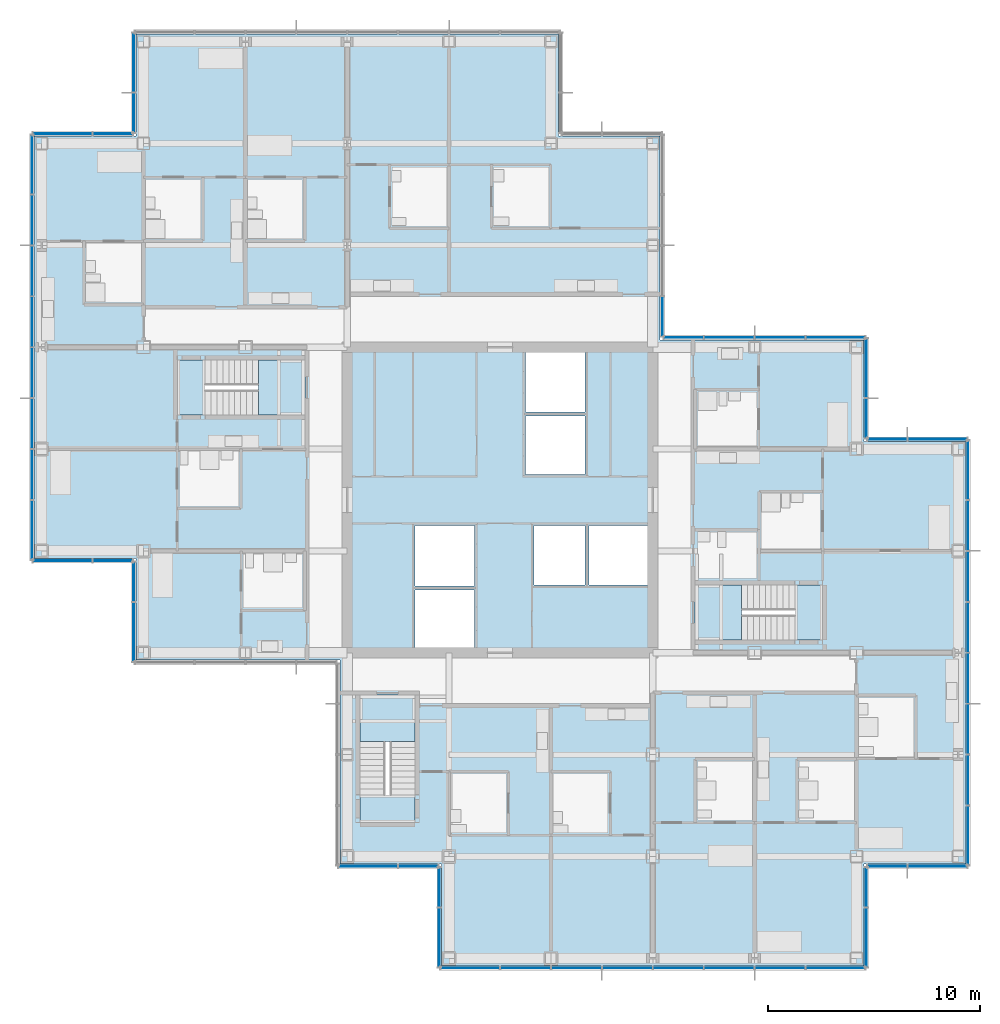
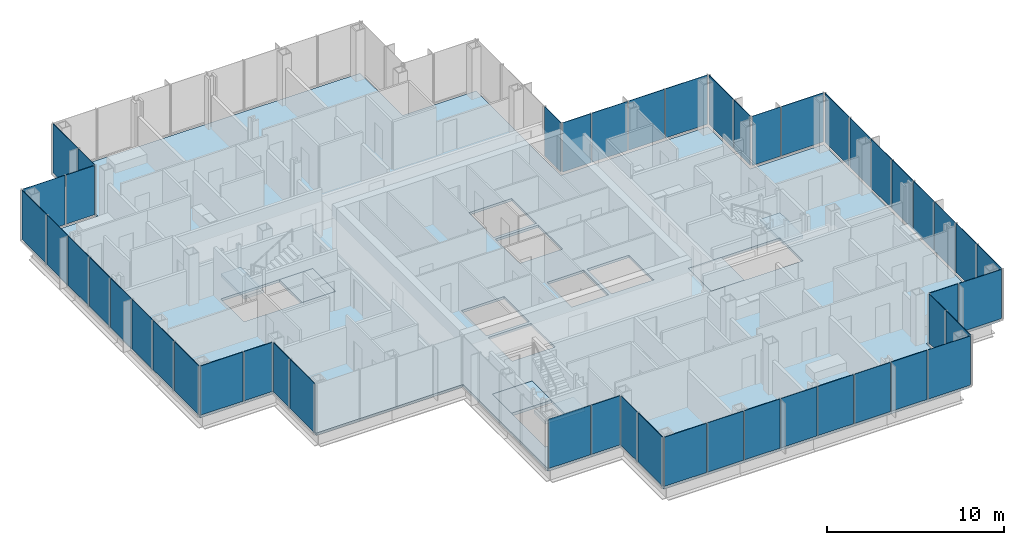
# One storey, part 12 of 20: 49 plates, 7 slabs, 18 elements without a shape of their own.
"""IFC4 building model written with IfcOpenShell, lengths in metres."""

from ifc_helpers import new_model, si_unit, direction, frame, origin, origin_2d, place, context, subcontext, project, spatial, polyline, rectangle, outline, extrude, material, layer, layer_set, type_object, element, aggregate, save


model = new_model("IFC4")

# Units and contexts
model_context = context("Model", 3, precision=1e-05, world=origin(), true_north=direction((0.0, 1.0)))
body_context = subcontext(model_context, "Body", "Model", "MODEL_VIEW")
ifc_project = project(units=[si_unit("LENGTHUNIT", "METRE"), si_unit("AREAUNIT", "SQUARE_METRE"), si_unit("VOLUMEUNIT", "CUBIC_METRE"), si_unit("PLANEANGLEUNIT", "RADIAN"), si_unit("MASSUNIT", "GRAM", prefix="KILO")], contexts=[model_context])

# Site, building, storey
site_placement = place(None, origin())
site = spatial("IfcSite", under=ifc_project, at=site_placement, CompositionType="ELEMENT")
building_placement = place(site_placement, origin())
building = spatial("IfcBuilding", under=site, at=building_placement, Name="Kvirike Care Tower", CompositionType="ELEMENT")
storey_placement = place(building_placement, frame((0.0, 0.0, 105.0)))
storey = spatial("IfcBuildingStorey", under=building, at=storey_placement, Name="L28", CompositionType="ELEMENT", Elevation=105.0)

# Slab
ifc_material_1 = material(Name="Concrete C35/45", Category="concrete")
ifc_layer_1 = layer(ifc_material_1, 0.169921875)
ifc_layer_set_1 = layer_set([ifc_layer_1], Name="FLOOR SLAB 170")
slab_type_1 = type_object("IfcSlabType", Name="FLOOR SLAB 170", PredefinedType="FLOOR", material=ifc_layer_set_1)
slab_1_placement = place(storey_placement, frame((0.0, 0.0, -0.169921875)))
element("IfcSlab", 1, at=slab_1_placement, inside=storey, type_object=slab_type_1, Name="Floor slab L28", PredefinedType="FLOOR", context=body_context, shape_type="SweptSolid", body=[
    extrude(outline(polyline([(43.550048828125, 18.85009765625), (43.550048828125, 38.75), (38.75, 38.75), (38.75, 43.550048828125), (29.14990234375, 43.550048828125), (29.14990234375, 53.14990234375), (24.35009765625, 53.14990234375), (24.35009765625, 57.949951171875), (4.449951171875, 57.949951171875), (4.449951171875, 53.14990234375), (-0.35009765625, 53.14990234375), (-0.35009765625, 33.25), (4.449951171875, 33.25), (4.449951171875, 28.449951171875), (14.050048828125, 28.449951171875), (14.050048828125, 18.85009765625), (18.85009765625, 18.85009765625), (18.85009765625, 14.050048828125), (38.75, 14.050048828125), (38.75, 18.85009765625), (43.550048828125, 18.85009765625)]), holes=[polyline([(17.60009765625, 29.050048828125), (17.60009765625, 31.75), (20.39990234375, 31.75), (20.39990234375, 29.050048828125), (17.60009765625, 29.050048828125)]), polyline([(17.60009765625, 31.949951171875), (17.60009765625, 34.800048828125), (20.39990234375, 34.800048828125), (20.39990234375, 31.949951171875), (17.60009765625, 31.949951171875)]), polyline([(22.800048828125, 37.199951171875), (22.800048828125, 39.949951171875), (25.60009765625, 39.949951171875), (25.60009765625, 37.199951171875), (22.800048828125, 37.199951171875)]), polyline([(22.800048828125, 40.14990234375), (22.800048828125, 42.949951171875), (25.60009765625, 42.949951171875), (25.60009765625, 40.14990234375), (22.800048828125, 40.14990234375)]), polyline([(23.199951171875, 32.0), (23.199951171875, 34.800048828125), (25.60009765625, 34.800048828125), (25.60009765625, 32.0), (23.199951171875, 32.0)]), polyline([(25.800048828125, 32.0), (25.800048828125, 34.800048828125), (28.550048828125, 34.800048828125), (28.550048828125, 32.0), (25.800048828125, 32.0)]), polyline([(12.39990234375, 42.60009765625), (12.39990234375, 40.0), (6.39990234375, 40.0), (6.39990234375, 42.60009765625), (12.39990234375, 42.60009765625)]), polyline([(30.800048828125, 29.39990234375), (30.800048828125, 32.0), (36.800048828125, 32.0), (36.800048828125, 29.39990234375), (30.800048828125, 29.39990234375)]), polyline([(15.0, 26.800048828125), (17.60009765625, 26.800048828125), (17.60009765625, 20.800048828125), (15.0, 20.800048828125), (15.0, 26.800048828125)])]), origin(), (0.0, 0.0, 1.0), 0.169921875),
])

# Stair, slabs
ifc_material_2 = material(Name="Concrete C35/45", Category="concrete")
stair_type = type_object("IfcStairType", Name="STAIR 20 RISERS", PredefinedType="HALF_TURN_STAIR", material=ifc_material_2)
stair_1_placement = place(storey_placement, origin())
stair_1 = element("IfcStair", 2, at=stair_1_placement, inside=storey, type_object=stair_type, Name="Stair 1 L28", PredefinedType="HALF_TURN_STAIR")
ifc_material_3 = material(Name="Concrete C35/45", Category="concrete")
ifc_layer_2 = layer(ifc_material_3, 0.199951171875)
ifc_layer_set_2 = layer_set([ifc_layer_2], Name="STAIR LANDING 200")
slab_type_2 = type_object("IfcSlabType", Name="STAIR LANDING 200", PredefinedType="LANDING", material=ifc_layer_set_2)
slab_2_placement = place(storey_placement, frame((0.0, 0.0, -0.199951171875)))
slab_2 = element("IfcSlab", 3, at=slab_2_placement, type_object=slab_type_2, Name="Stair S1 floor landing L28", PredefinedType="LANDING", context=body_context, shape_type="SweptSolid", body=[
    extrude(outline(polyline([(10.219970703125, 42.60009765625), (10.219970703125, 40.0), (12.39990234375, 40.0), (12.39990234375, 42.60009765625), (10.219970703125, 42.60009765625)])), origin(), (0.0, 0.0, 1.0), 0.199951171875),
])
slab_3_placement = place(storey_placement, frame((0.0, 0.0, 1.550048828125)))
slab_3 = element("IfcSlab", 4, at=slab_3_placement, type_object=slab_type_2, Name="Stair S1 half landing L28-L29", PredefinedType="LANDING", context=body_context, shape_type="SweptSolid", body=[
    extrude(outline(polyline([(6.39990234375, 42.60009765625), (6.39990234375, 40.0), (7.699951171875, 40.0), (7.699951171875, 42.60009765625), (6.39990234375, 42.60009765625)])), origin(), (0.0, 0.0, 1.0), 0.199951171875),
])
aggregate(stair_1, [slab_2, slab_3])

stair_2_placement = place(storey_placement, origin())
stair_2 = element("IfcStair", 5, at=stair_2_placement, inside=storey, type_object=stair_type, Name="Stair 2 L28", PredefinedType="HALF_TURN_STAIR")
slab_4_placement = place(storey_placement, frame((0.0, 0.0, -0.199951171875)))
slab_4 = element("IfcSlab", 6, at=slab_4_placement, type_object=slab_type_2, Name="Stair S2 floor landing L28", PredefinedType="LANDING", context=body_context, shape_type="SweptSolid", body=[
    extrude(outline(polyline([(32.97998046875, 29.39990234375), (32.97998046875, 32.0), (30.800048828125, 32.0), (30.800048828125, 29.39990234375), (32.97998046875, 29.39990234375)])), origin(), (0.0, 0.0, 1.0), 0.199951171875),
])
slab_5_placement = place(storey_placement, frame((0.0, 0.0, 1.550048828125)))
slab_5 = element("IfcSlab", 7, at=slab_5_placement, type_object=slab_type_2, Name="Stair S2 half landing L28-L29", PredefinedType="LANDING", context=body_context, shape_type="SweptSolid", body=[
    extrude(outline(polyline([(36.800048828125, 29.39990234375), (36.800048828125, 32.0), (35.5, 32.0), (35.5, 29.39990234375), (36.800048828125, 29.39990234375)])), origin(), (0.0, 0.0, 1.0), 0.199951171875),
])
aggregate(stair_2, [slab_4, slab_5])

stair_3_placement = place(storey_placement, origin())
stair_3 = element("IfcStair", 8, at=stair_3_placement, inside=storey, type_object=stair_type, Name="Stair 5 L28", PredefinedType="HALF_TURN_STAIR")
slab_6_placement = place(storey_placement, frame((0.0, 0.0, -0.199951171875)))
slab_6 = element("IfcSlab", 9, at=slab_6_placement, type_object=slab_type_2, Name="Stair S5 floor landing L28", PredefinedType="LANDING", context=body_context, shape_type="SweptSolid", body=[
    extrude(outline(polyline([(15.0, 24.6201171875), (17.60009765625, 24.6201171875), (17.60009765625, 26.800048828125), (15.0, 26.800048828125), (15.0, 24.6201171875)])), origin(), (0.0, 0.0, 1.0), 0.199951171875),
])
slab_7_placement = place(storey_placement, frame((0.0, 0.0, 1.550048828125)))
slab_7 = element("IfcSlab", 10, at=slab_7_placement, type_object=slab_type_2, Name="Stair S5 half landing L28-L29", PredefinedType="LANDING", context=body_context, shape_type="SweptSolid", body=[
    extrude(outline(polyline([(15.0, 20.800048828125), (17.60009765625, 20.800048828125), (17.60009765625, 22.10009765625), (15.0, 22.10009765625), (15.0, 20.800048828125)])), origin(), (0.0, 0.0, 1.0), 0.199951171875),
])
aggregate(stair_3, [slab_6, slab_7])

# Curtain wall, plates
ifc_material_4 = material(Name="Anodised aluminium stick system", Category="aluminium")
curtain_wall_type = type_object("IfcCurtainWallType", Name="CW-B STICK CURTAIN WALL", PredefinedType="NOTDEFINED", material=ifc_material_4)
curtain_wall_1_placement = place(storey_placement, origin())
curtain_wall_1 = element("IfcCurtainWall", 11, at=curtain_wall_1_placement, inside=storey, type_object=curtain_wall_type, Name="Curtain wall L28 face 1", PredefinedType="NOTDEFINED")
ifc_material_5 = material(Name="Tinted double glazed unit", Category="glass")
ifc_layer_3 = layer(ifc_material_5, 0.035888671875)
ifc_layer_set_3 = layer_set([ifc_layer_3], Name="TINTED VISION PANEL 36")
plate_type = type_object("IfcPlateType", Name="TINTED VISION PANEL 36", PredefinedType="CURTAIN_PANEL", material=ifc_layer_set_3)
plate_1_placement = place(storey_placement, frame((43.659912109375, 20.186279296875, 0.10009765625), z_axis=(0.0, 0.0, 1.0), x_axis=(0.0, 1.0, 0.0)))
plate_1 = element("IfcPlate", 12, at=plate_1_placement, type_object=plate_type, Name="CW-B panel L28 face 1.1", PredefinedType="CURTAIN_PANEL", context=body_context, shape_type="SweptSolid", body=[
    extrude(rectangle(XDim=2.762451171875, YDim=0.035888671875, at=origin_2d()), origin(), (0.0, 0.0, 1.0), 3.39990234375),
])
plate_2_placement = place(storey_placement, frame((43.659912109375, 22.800048828125, 0.10009765625), z_axis=(0.0, 0.0, 1.0), x_axis=(0.0, 1.0, 0.0)))
plate_2 = element("IfcPlate", 13, at=plate_2_placement, type_object=plate_type, Name="CW-B panel L28 face 1.2", PredefinedType="CURTAIN_PANEL", context=body_context, shape_type="SweptSolid", body=[
    extrude(rectangle(XDim=2.3349609375, YDim=0.035888671875, at=origin_2d()), origin(), (0.0, 0.0, 1.0), 3.39990234375),
])
plate_3_placement = place(storey_placement, frame((43.659912109375, 25.199951171875, 0.10009765625), z_axis=(0.0, 0.0, 1.0), x_axis=(0.0, 1.0, 0.0)))
plate_3 = element("IfcPlate", 14, at=plate_3_placement, type_object=plate_type, Name="CW-B panel L28 face 1.3", PredefinedType="CURTAIN_PANEL", context=body_context, shape_type="SweptSolid", body=[
    extrude(rectangle(XDim=2.3349609375, YDim=0.035888671875, at=origin_2d()), origin(), (0.0, 0.0, 1.0), 3.39990234375),
])
plate_4_placement = place(storey_placement, frame((43.659912109375, 27.60009765625, 0.10009765625), z_axis=(0.0, 0.0, 1.0), x_axis=(0.0, 1.0, 0.0)))
plate_4 = element("IfcPlate", 15, at=plate_4_placement, type_object=plate_type, Name="CW-B panel L28 face 1.4", PredefinedType="CURTAIN_PANEL", context=body_context, shape_type="SweptSolid", body=[
    extrude(rectangle(XDim=2.3349609375, YDim=0.035888671875, at=origin_2d()), origin(), (0.0, 0.0, 1.0), 3.39990234375),
])
plate_5_placement = place(storey_placement, frame((43.659912109375, 30.0, 0.10009765625), z_axis=(0.0, 0.0, 1.0), x_axis=(0.0, 1.0, 0.0)))
plate_5 = element("IfcPlate", 16, at=plate_5_placement, type_object=plate_type, Name="CW-B panel L28 face 1.5", PredefinedType="CURTAIN_PANEL", context=body_context, shape_type="SweptSolid", body=[
    extrude(rectangle(XDim=2.3349609375, YDim=0.035888671875, at=origin_2d()), origin(), (0.0, 0.0, 1.0), 3.39990234375),
])
plate_6_placement = place(storey_placement, frame((43.659912109375, 32.39990234375, 0.10009765625), z_axis=(0.0, 0.0, 1.0), x_axis=(0.0, 1.0, 0.0)))
plate_6 = element("IfcPlate", 17, at=plate_6_placement, type_object=plate_type, Name="CW-B panel L28 face 1.6", PredefinedType="CURTAIN_PANEL", context=body_context, shape_type="SweptSolid", body=[
    extrude(rectangle(XDim=2.3349609375, YDim=0.035888671875, at=origin_2d()), origin(), (0.0, 0.0, 1.0), 3.39990234375),
])
plate_7_placement = place(storey_placement, frame((43.659912109375, 34.800048828125, 0.10009765625), z_axis=(0.0, 0.0, 1.0), x_axis=(0.0, 1.0, 0.0)))
plate_7 = element("IfcPlate", 18, at=plate_7_placement, type_object=plate_type, Name="CW-B panel L28 face 1.7", PredefinedType="CURTAIN_PANEL", context=body_context, shape_type="SweptSolid", body=[
    extrude(rectangle(XDim=2.3349609375, YDim=0.035888671875, at=origin_2d()), origin(), (0.0, 0.0, 1.0), 3.39990234375),
])
plate_8_placement = place(storey_placement, frame((43.659912109375, 37.413818359375, 0.10009765625), z_axis=(0.0, 0.0, 1.0), x_axis=(0.0, 1.0, 0.0)))
plate_8 = element("IfcPlate", 19, at=plate_8_placement, type_object=plate_type, Name="CW-B panel L28 face 1.8", PredefinedType="CURTAIN_PANEL", context=body_context, shape_type="SweptSolid", body=[
    extrude(rectangle(XDim=2.762451171875, YDim=0.035888671875, at=origin_2d()), origin(), (0.0, 0.0, 1.0), 3.39990234375),
])
aggregate(curtain_wall_1, [plate_1, plate_2, plate_3, plate_4, plate_5, plate_6, plate_7, plate_8])

curtain_wall_2_placement = place(storey_placement, origin())
curtain_wall_2 = element("IfcCurtainWall", 20, at=curtain_wall_2_placement, inside=storey, type_object=curtain_wall_type, Name="Curtain wall L28 face 2", PredefinedType="NOTDEFINED")
plate_9_placement = place(storey_placement, frame((42.2138671875, 38.860107421875, 0.10009765625), z_axis=(0.0, 0.0, 1.0), x_axis=(-1.0, 0.0, 0.0)))
plate_9 = element("IfcPlate", 21, at=plate_9_placement, type_object=plate_type, Name="CW-B panel L28 face 2.1", PredefinedType="CURTAIN_PANEL", context=body_context, shape_type="SweptSolid", body=[
    extrude(rectangle(XDim=2.762451171875, YDim=0.035888671875, at=origin_2d()), origin(), (0.0, 0.0, 1.0), 3.39990234375),
])
plate_10_placement = place(storey_placement, frame((39.84619140625, 38.860107421875, 0.10009765625), z_axis=(0.0, 0.0, 1.0), x_axis=(-1.0, 0.0, 0.0)))
plate_10 = element("IfcPlate", 22, at=plate_10_placement, type_object=plate_type, Name="CW-B panel L28 face 2.2", PredefinedType="CURTAIN_PANEL", context=body_context, shape_type="SweptSolid", body=[
    extrude(rectangle(XDim=1.842529296875, YDim=0.035888671875, at=origin_2d()), origin(), (0.0, 0.0, 1.0), 3.39990234375),
])
aggregate(curtain_wall_2, [plate_9, plate_10])

curtain_wall_3_placement = place(storey_placement, origin())
curtain_wall_3 = element("IfcCurtainWall", 23, at=curtain_wall_3_placement, inside=storey, type_object=curtain_wall_type, Name="Curtain wall L28 face 3", PredefinedType="NOTDEFINED")
plate_11_placement = place(storey_placement, frame((38.860107421875, 39.84619140625, 0.10009765625), z_axis=(0.0, 0.0, 1.0), x_axis=(0.0, 1.0, 0.0)))
plate_11 = element("IfcPlate", 24, at=plate_11_placement, type_object=plate_type, Name="CW-B panel L28 face 3.1", PredefinedType="CURTAIN_PANEL", context=body_context, shape_type="SweptSolid", body=[
    extrude(rectangle(XDim=1.842529296875, YDim=0.035888671875, at=origin_2d()), origin(), (0.0, 0.0, 1.0), 3.39990234375),
])
plate_12_placement = place(storey_placement, frame((38.860107421875, 42.2138671875, 0.10009765625), z_axis=(0.0, 0.0, 1.0), x_axis=(0.0, 1.0, 0.0)))
plate_12 = element("IfcPlate", 25, at=plate_12_placement, type_object=plate_type, Name="CW-B panel L28 face 3.2", PredefinedType="CURTAIN_PANEL", context=body_context, shape_type="SweptSolid", body=[
    extrude(rectangle(XDim=2.762451171875, YDim=0.035888671875, at=origin_2d()), origin(), (0.0, 0.0, 1.0), 3.39990234375),
])
aggregate(curtain_wall_3, [plate_11, plate_12])

curtain_wall_4_placement = place(storey_placement, origin())
curtain_wall_4 = element("IfcCurtainWall", 26, at=curtain_wall_4_placement, inside=storey, type_object=curtain_wall_type, Name="Curtain wall L28 face 4", PredefinedType="NOTDEFINED")
plate_13_placement = place(storey_placement, frame((37.413818359375, 43.659912109375, 0.10009765625), z_axis=(0.0, 0.0, 1.0), x_axis=(-1.0, 0.0, 0.0)))
plate_13 = element("IfcPlate", 27, at=plate_13_placement, type_object=plate_type, Name="CW-B panel L28 face 4.1", PredefinedType="CURTAIN_PANEL", context=body_context, shape_type="SweptSolid", body=[
    extrude(rectangle(XDim=2.762451171875, YDim=0.035888671875, at=origin_2d()), origin(), (0.0, 0.0, 1.0), 3.39990234375),
])
plate_14_placement = place(storey_placement, frame((34.800048828125, 43.659912109375, 0.10009765625), z_axis=(0.0, 0.0, 1.0), x_axis=(-1.0, 0.0, 0.0)))
plate_14 = element("IfcPlate", 28, at=plate_14_placement, type_object=plate_type, Name="CW-B panel L28 face 4.2", PredefinedType="CURTAIN_PANEL", context=body_context, shape_type="SweptSolid", body=[
    extrude(rectangle(XDim=2.3349609375, YDim=0.035888671875, at=origin_2d()), origin(), (0.0, 0.0, 1.0), 3.39990234375),
])
plate_15_placement = place(storey_placement, frame((32.39990234375, 43.659912109375, 0.10009765625), z_axis=(0.0, 0.0, 1.0), x_axis=(-1.0, 0.0, 0.0)))
plate_15 = element("IfcPlate", 29, at=plate_15_placement, type_object=plate_type, Name="CW-B panel L28 face 4.3", PredefinedType="CURTAIN_PANEL", context=body_context, shape_type="SweptSolid", body=[
    extrude(rectangle(XDim=2.3349609375, YDim=0.035888671875, at=origin_2d()), origin(), (0.0, 0.0, 1.0), 3.39990234375),
])
plate_16_placement = place(storey_placement, frame((30.246337890625, 43.659912109375, 0.10009765625), z_axis=(0.0, 0.0, 1.0), x_axis=(-1.0, 0.0, 0.0)))
plate_16 = element("IfcPlate", 30, at=plate_16_placement, type_object=plate_type, Name="CW-B panel L28 face 4.4", PredefinedType="CURTAIN_PANEL", context=body_context, shape_type="SweptSolid", body=[
    extrude(rectangle(XDim=1.842529296875, YDim=0.035888671875, at=origin_2d()), origin(), (0.0, 0.0, 1.0), 3.39990234375),
])
aggregate(curtain_wall_4, [plate_13, plate_14, plate_15, plate_16])

# Curtain wall, plate
curtain_wall_5_placement = place(storey_placement, origin())
curtain_wall_5 = element("IfcCurtainWall", 31, at=curtain_wall_5_placement, inside=storey, type_object=curtain_wall_type, Name="Curtain wall L28 face 5", PredefinedType="NOTDEFINED")
plate_17_placement = place(storey_placement, frame((29.260009765625, 44.646240234375, 0.10009765625), z_axis=(0.0, 0.0, 1.0), x_axis=(0.0, 1.0, 0.0)))
plate_17 = element("IfcPlate", 32, at=plate_17_placement, type_object=plate_type, Name="CW-B panel L28 face 5.1", PredefinedType="CURTAIN_PANEL", context=body_context, shape_type="SweptSolid", body=[
    extrude(rectangle(XDim=1.842529296875, YDim=0.035888671875, at=origin_2d()), origin(), (0.0, 0.0, 1.0), 3.39990234375),
])
aggregate(curtain_wall_5, [plate_17])

# Curtain wall, plates
curtain_wall_6_placement = place(storey_placement, origin())
curtain_wall_6 = element("IfcCurtainWall", 33, at=curtain_wall_6_placement, inside=storey, type_object=curtain_wall_type, Name="Curtain wall L28 face 9", PredefinedType="NOTDEFINED")
plate_18_placement = place(storey_placement, frame((4.340087890625, 56.61376953125, 0.10009765625), z_axis=(0.0, 0.0, 1.0), x_axis=(0.0, -1.0, 0.0)))
plate_18 = element("IfcPlate", 34, at=plate_18_placement, type_object=plate_type, Name="CW-B panel L28 face 9.1", PredefinedType="CURTAIN_PANEL", context=body_context, shape_type="SweptSolid", body=[
    extrude(rectangle(XDim=2.762451171875, YDim=0.035888671875, at=origin_2d()), origin(), (0.0, 0.0, 1.0), 3.39990234375),
])
plate_19_placement = place(storey_placement, frame((4.340087890625, 54.246337890625, 0.10009765625), z_axis=(0.0, 0.0, 1.0), x_axis=(0.0, -1.0, 0.0)))
plate_19 = element("IfcPlate", 35, at=plate_19_placement, type_object=plate_type, Name="CW-B panel L28 face 9.2", PredefinedType="CURTAIN_PANEL", context=body_context, shape_type="SweptSolid", body=[
    extrude(rectangle(XDim=1.842529296875, YDim=0.035888671875, at=origin_2d()), origin(), (0.0, 0.0, 1.0), 3.39990234375),
])
aggregate(curtain_wall_6, [plate_18, plate_19])

curtain_wall_7_placement = place(storey_placement, origin())
curtain_wall_7 = element("IfcCurtainWall", 36, at=curtain_wall_7_placement, inside=storey, type_object=curtain_wall_type, Name="Curtain wall L28 face 10", PredefinedType="NOTDEFINED")
plate_20_placement = place(storey_placement, frame((3.353759765625, 53.260009765625, 0.10009765625), z_axis=(0.0, 0.0, 1.0), x_axis=(-1.0, 0.0, 0.0)))
plate_20 = element("IfcPlate", 37, at=plate_20_placement, type_object=plate_type, Name="CW-B panel L28 face 10.1", PredefinedType="CURTAIN_PANEL", context=body_context, shape_type="SweptSolid", body=[
    extrude(rectangle(XDim=1.842529296875, YDim=0.035888671875, at=origin_2d()), origin(), (0.0, 0.0, 1.0), 3.39990234375),
])
plate_21_placement = place(storey_placement, frame((0.986328125, 53.260009765625, 0.10009765625), z_axis=(0.0, 0.0, 1.0), x_axis=(-1.0, 0.0, 0.0)))
plate_21 = element("IfcPlate", 38, at=plate_21_placement, type_object=plate_type, Name="CW-B panel L28 face 10.2", PredefinedType="CURTAIN_PANEL", context=body_context, shape_type="SweptSolid", body=[
    extrude(rectangle(XDim=2.762451171875, YDim=0.035888671875, at=origin_2d()), origin(), (0.0, 0.0, 1.0), 3.39990234375),
])
aggregate(curtain_wall_7, [plate_20, plate_21])

curtain_wall_8_placement = place(storey_placement, origin())
curtain_wall_8 = element("IfcCurtainWall", 39, at=curtain_wall_8_placement, inside=storey, type_object=curtain_wall_type, Name="Curtain wall L28 face 11", PredefinedType="NOTDEFINED")
plate_22_placement = place(storey_placement, frame((-0.4599609375, 51.813720703125, 0.10009765625), z_axis=(0.0, 0.0, 1.0), x_axis=(0.0, -1.0, 0.0)))
plate_22 = element("IfcPlate", 40, at=plate_22_placement, type_object=plate_type, Name="CW-B panel L28 face 11.1", PredefinedType="CURTAIN_PANEL", context=body_context, shape_type="SweptSolid", body=[
    extrude(rectangle(XDim=2.762451171875, YDim=0.035888671875, at=origin_2d()), origin(), (0.0, 0.0, 1.0), 3.39990234375),
])
plate_23_placement = place(storey_placement, frame((-0.4599609375, 49.199951171875, 0.10009765625), z_axis=(0.0, 0.0, 1.0), x_axis=(0.0, -1.0, 0.0)))
plate_23 = element("IfcPlate", 41, at=plate_23_placement, type_object=plate_type, Name="CW-B panel L28 face 11.2", PredefinedType="CURTAIN_PANEL", context=body_context, shape_type="SweptSolid", body=[
    extrude(rectangle(XDim=2.3349609375, YDim=0.035888671875, at=origin_2d()), origin(), (0.0, 0.0, 1.0), 3.39990234375),
])
plate_24_placement = place(storey_placement, frame((-0.4599609375, 46.800048828125, 0.10009765625), z_axis=(0.0, 0.0, 1.0), x_axis=(0.0, -1.0, 0.0)))
plate_24 = element("IfcPlate", 42, at=plate_24_placement, type_object=plate_type, Name="CW-B panel L28 face 11.3", PredefinedType="CURTAIN_PANEL", context=body_context, shape_type="SweptSolid", body=[
    extrude(rectangle(XDim=2.3349609375, YDim=0.035888671875, at=origin_2d()), origin(), (0.0, 0.0, 1.0), 3.39990234375),
])
plate_25_placement = place(storey_placement, frame((-0.4599609375, 44.39990234375, 0.10009765625), z_axis=(0.0, 0.0, 1.0), x_axis=(0.0, -1.0, 0.0)))
plate_25 = element("IfcPlate", 43, at=plate_25_placement, type_object=plate_type, Name="CW-B panel L28 face 11.4", PredefinedType="CURTAIN_PANEL", context=body_context, shape_type="SweptSolid", body=[
    extrude(rectangle(XDim=2.3349609375, YDim=0.035888671875, at=origin_2d()), origin(), (0.0, 0.0, 1.0), 3.39990234375),
])
plate_26_placement = place(storey_placement, frame((-0.4599609375, 42.0, 0.10009765625), z_axis=(0.0, 0.0, 1.0), x_axis=(0.0, -1.0, 0.0)))
plate_26 = element("IfcPlate", 44, at=plate_26_placement, type_object=plate_type, Name="CW-B panel L28 face 11.5", PredefinedType="CURTAIN_PANEL", context=body_context, shape_type="SweptSolid", body=[
    extrude(rectangle(XDim=2.3349609375, YDim=0.035888671875, at=origin_2d()), origin(), (0.0, 0.0, 1.0), 3.39990234375),
])
plate_27_placement = place(storey_placement, frame((-0.4599609375, 39.60009765625, 0.10009765625), z_axis=(0.0, 0.0, 1.0), x_axis=(0.0, -1.0, 0.0)))
plate_27 = element("IfcPlate", 45, at=plate_27_placement, type_object=plate_type, Name="CW-B panel L28 face 11.6", PredefinedType="CURTAIN_PANEL", context=body_context, shape_type="SweptSolid", body=[
    extrude(rectangle(XDim=2.3349609375, YDim=0.035888671875, at=origin_2d()), origin(), (0.0, 0.0, 1.0), 3.39990234375),
])
plate_28_placement = place(storey_placement, frame((-0.4599609375, 37.199951171875, 0.10009765625), z_axis=(0.0, 0.0, 1.0), x_axis=(0.0, -1.0, 0.0)))
plate_28 = element("IfcPlate", 46, at=plate_28_placement, type_object=plate_type, Name="CW-B panel L28 face 11.7", PredefinedType="CURTAIN_PANEL", context=body_context, shape_type="SweptSolid", body=[
    extrude(rectangle(XDim=2.3349609375, YDim=0.035888671875, at=origin_2d()), origin(), (0.0, 0.0, 1.0), 3.39990234375),
])
plate_29_placement = place(storey_placement, frame((-0.4599609375, 34.586181640625, 0.10009765625), z_axis=(0.0, 0.0, 1.0), x_axis=(0.0, -1.0, 0.0)))
plate_29 = element("IfcPlate", 47, at=plate_29_placement, type_object=plate_type, Name="CW-B panel L28 face 11.8", PredefinedType="CURTAIN_PANEL", context=body_context, shape_type="SweptSolid", body=[
    extrude(rectangle(XDim=2.762451171875, YDim=0.035888671875, at=origin_2d()), origin(), (0.0, 0.0, 1.0), 3.39990234375),
])
aggregate(curtain_wall_8, [plate_22, plate_23, plate_24, plate_25, plate_26, plate_27, plate_28, plate_29])

curtain_wall_9_placement = place(storey_placement, origin())
curtain_wall_9 = element("IfcCurtainWall", 48, at=curtain_wall_9_placement, inside=storey, type_object=curtain_wall_type, Name="Curtain wall L28 face 12", PredefinedType="NOTDEFINED")
plate_30_placement = place(storey_placement, frame((0.986328125, 33.139892578125, 0.10009765625), z_axis=(0.0, 0.0, 1.0), x_axis=(1.0, 0.0, 0.0)))
plate_30 = element("IfcPlate", 49, at=plate_30_placement, type_object=plate_type, Name="CW-B panel L28 face 12.1", PredefinedType="CURTAIN_PANEL", context=body_context, shape_type="SweptSolid", body=[
    extrude(rectangle(XDim=2.762451171875, YDim=0.035888671875, at=origin_2d()), origin(), (0.0, 0.0, 1.0), 3.39990234375),
])
plate_31_placement = place(storey_placement, frame((3.353759765625, 33.139892578125, 0.10009765625), z_axis=(0.0, 0.0, 1.0), x_axis=(1.0, 0.0, 0.0)))
plate_31 = element("IfcPlate", 50, at=plate_31_placement, type_object=plate_type, Name="CW-B panel L28 face 12.2", PredefinedType="CURTAIN_PANEL", context=body_context, shape_type="SweptSolid", body=[
    extrude(rectangle(XDim=1.842529296875, YDim=0.035888671875, at=origin_2d()), origin(), (0.0, 0.0, 1.0), 3.39990234375),
])
aggregate(curtain_wall_9, [plate_30, plate_31])

curtain_wall_10_placement = place(storey_placement, origin())
curtain_wall_10 = element("IfcCurtainWall", 51, at=curtain_wall_10_placement, inside=storey, type_object=curtain_wall_type, Name="Curtain wall L28 face 13", PredefinedType="NOTDEFINED")
plate_32_placement = place(storey_placement, frame((4.340087890625, 32.15380859375, 0.10009765625), z_axis=(0.0, 0.0, 1.0), x_axis=(0.0, -1.0, 0.0)))
plate_32 = element("IfcPlate", 52, at=plate_32_placement, type_object=plate_type, Name="CW-B panel L28 face 13.1", PredefinedType="CURTAIN_PANEL", context=body_context, shape_type="SweptSolid", body=[
    extrude(rectangle(XDim=1.842529296875, YDim=0.035888671875, at=origin_2d()), origin(), (0.0, 0.0, 1.0), 3.39990234375),
])
plate_33_placement = place(storey_placement, frame((4.340087890625, 29.7861328125, 0.10009765625), z_axis=(0.0, 0.0, 1.0), x_axis=(0.0, -1.0, 0.0)))
plate_33 = element("IfcPlate", 53, at=plate_33_placement, type_object=plate_type, Name="CW-B panel L28 face 13.2", PredefinedType="CURTAIN_PANEL", context=body_context, shape_type="SweptSolid", body=[
    extrude(rectangle(XDim=2.762451171875, YDim=0.035888671875, at=origin_2d()), origin(), (0.0, 0.0, 1.0), 3.39990234375),
])
aggregate(curtain_wall_10, [plate_32, plate_33])

curtain_wall_11_placement = place(storey_placement, origin())
curtain_wall_11 = element("IfcCurtainWall", 54, at=curtain_wall_11_placement, inside=storey, type_object=curtain_wall_type, Name="Curtain wall L28 face 16", PredefinedType="NOTDEFINED")
plate_34_placement = place(storey_placement, frame((15.38623046875, 18.739990234375, 0.10009765625), z_axis=(0.0, 0.0, 1.0), x_axis=(1.0, 0.0, 0.0)))
plate_34 = element("IfcPlate", 55, at=plate_34_placement, type_object=plate_type, Name="CW-B panel L28 face 16.1", PredefinedType="CURTAIN_PANEL", context=body_context, shape_type="SweptSolid", body=[
    extrude(rectangle(XDim=2.762451171875, YDim=0.035888671875, at=origin_2d()), origin(), (0.0, 0.0, 1.0), 3.39990234375),
])
plate_35_placement = place(storey_placement, frame((17.753662109375, 18.739990234375, 0.10009765625), z_axis=(0.0, 0.0, 1.0), x_axis=(1.0, 0.0, 0.0)))
plate_35 = element("IfcPlate", 56, at=plate_35_placement, type_object=plate_type, Name="CW-B panel L28 face 16.2", PredefinedType="CURTAIN_PANEL", context=body_context, shape_type="SweptSolid", body=[
    extrude(rectangle(XDim=1.842529296875, YDim=0.035888671875, at=origin_2d()), origin(), (0.0, 0.0, 1.0), 3.39990234375),
])
aggregate(curtain_wall_11, [plate_34, plate_35])

curtain_wall_12_placement = place(storey_placement, origin())
curtain_wall_12 = element("IfcCurtainWall", 57, at=curtain_wall_12_placement, inside=storey, type_object=curtain_wall_type, Name="Curtain wall L28 face 17", PredefinedType="NOTDEFINED")
plate_36_placement = place(storey_placement, frame((18.739990234375, 17.753662109375, 0.10009765625), z_axis=(0.0, 0.0, 1.0), x_axis=(0.0, -1.0, 0.0)))
plate_36 = element("IfcPlate", 58, at=plate_36_placement, type_object=plate_type, Name="CW-B panel L28 face 17.1", PredefinedType="CURTAIN_PANEL", context=body_context, shape_type="SweptSolid", body=[
    extrude(rectangle(XDim=1.842529296875, YDim=0.035888671875, at=origin_2d()), origin(), (0.0, 0.0, 1.0), 3.39990234375),
])
plate_37_placement = place(storey_placement, frame((18.739990234375, 15.38623046875, 0.10009765625), z_axis=(0.0, 0.0, 1.0), x_axis=(0.0, -1.0, 0.0)))
plate_37 = element("IfcPlate", 59, at=plate_37_placement, type_object=plate_type, Name="CW-B panel L28 face 17.2", PredefinedType="CURTAIN_PANEL", context=body_context, shape_type="SweptSolid", body=[
    extrude(rectangle(XDim=2.762451171875, YDim=0.035888671875, at=origin_2d()), origin(), (0.0, 0.0, 1.0), 3.39990234375),
])
aggregate(curtain_wall_12, [plate_36, plate_37])

curtain_wall_13_placement = place(storey_placement, origin())
curtain_wall_13 = element("IfcCurtainWall", 60, at=curtain_wall_13_placement, inside=storey, type_object=curtain_wall_type, Name="Curtain wall L28 face 18", PredefinedType="NOTDEFINED")
plate_38_placement = place(storey_placement, frame((20.186279296875, 13.93994140625, 0.10009765625), z_axis=(0.0, 0.0, 1.0), x_axis=(1.0, 0.0, 0.0)))
plate_38 = element("IfcPlate", 61, at=plate_38_placement, type_object=plate_type, Name="CW-B panel L28 face 18.1", PredefinedType="CURTAIN_PANEL", context=body_context, shape_type="SweptSolid", body=[
    extrude(rectangle(XDim=2.762451171875, YDim=0.035888671875, at=origin_2d()), origin(), (0.0, 0.0, 1.0), 3.39990234375),
])
plate_39_placement = place(storey_placement, frame((22.800048828125, 13.93994140625, 0.10009765625), z_axis=(0.0, 0.0, 1.0), x_axis=(1.0, 0.0, 0.0)))
plate_39 = element("IfcPlate", 62, at=plate_39_placement, type_object=plate_type, Name="CW-B panel L28 face 18.2", PredefinedType="CURTAIN_PANEL", context=body_context, shape_type="SweptSolid", body=[
    extrude(rectangle(XDim=2.3349609375, YDim=0.035888671875, at=origin_2d()), origin(), (0.0, 0.0, 1.0), 3.39990234375),
])
plate_40_placement = place(storey_placement, frame((25.199951171875, 13.93994140625, 0.10009765625), z_axis=(0.0, 0.0, 1.0), x_axis=(1.0, 0.0, 0.0)))
plate_40 = element("IfcPlate", 63, at=plate_40_placement, type_object=plate_type, Name="CW-B panel L28 face 18.3", PredefinedType="CURTAIN_PANEL", context=body_context, shape_type="SweptSolid", body=[
    extrude(rectangle(XDim=2.3349609375, YDim=0.035888671875, at=origin_2d()), origin(), (0.0, 0.0, 1.0), 3.39990234375),
])
plate_41_placement = place(storey_placement, frame((27.60009765625, 13.93994140625, 0.10009765625), z_axis=(0.0, 0.0, 1.0), x_axis=(1.0, 0.0, 0.0)))
plate_41 = element("IfcPlate", 64, at=plate_41_placement, type_object=plate_type, Name="CW-B panel L28 face 18.4", PredefinedType="CURTAIN_PANEL", context=body_context, shape_type="SweptSolid", body=[
    extrude(rectangle(XDim=2.3349609375, YDim=0.035888671875, at=origin_2d()), origin(), (0.0, 0.0, 1.0), 3.39990234375),
])
plate_42_placement = place(storey_placement, frame((30.0, 13.93994140625, 0.10009765625), z_axis=(0.0, 0.0, 1.0), x_axis=(1.0, 0.0, 0.0)))
plate_42 = element("IfcPlate", 65, at=plate_42_placement, type_object=plate_type, Name="CW-B panel L28 face 18.5", PredefinedType="CURTAIN_PANEL", context=body_context, shape_type="SweptSolid", body=[
    extrude(rectangle(XDim=2.3349609375, YDim=0.035888671875, at=origin_2d()), origin(), (0.0, 0.0, 1.0), 3.39990234375),
])
plate_43_placement = place(storey_placement, frame((32.39990234375, 13.93994140625, 0.10009765625), z_axis=(0.0, 0.0, 1.0), x_axis=(1.0, 0.0, 0.0)))
plate_43 = element("IfcPlate", 66, at=plate_43_placement, type_object=plate_type, Name="CW-B panel L28 face 18.6", PredefinedType="CURTAIN_PANEL", context=body_context, shape_type="SweptSolid", body=[
    extrude(rectangle(XDim=2.3349609375, YDim=0.035888671875, at=origin_2d()), origin(), (0.0, 0.0, 1.0), 3.39990234375),
])
plate_44_placement = place(storey_placement, frame((34.800048828125, 13.93994140625, 0.10009765625), z_axis=(0.0, 0.0, 1.0), x_axis=(1.0, 0.0, 0.0)))
plate_44 = element("IfcPlate", 67, at=plate_44_placement, type_object=plate_type, Name="CW-B panel L28 face 18.7", PredefinedType="CURTAIN_PANEL", context=body_context, shape_type="SweptSolid", body=[
    extrude(rectangle(XDim=2.3349609375, YDim=0.035888671875, at=origin_2d()), origin(), (0.0, 0.0, 1.0), 3.39990234375),
])
plate_45_placement = place(storey_placement, frame((37.413818359375, 13.93994140625, 0.10009765625), z_axis=(0.0, 0.0, 1.0), x_axis=(1.0, 0.0, 0.0)))
plate_45 = element("IfcPlate", 68, at=plate_45_placement, type_object=plate_type, Name="CW-B panel L28 face 18.8", PredefinedType="CURTAIN_PANEL", context=body_context, shape_type="SweptSolid", body=[
    extrude(rectangle(XDim=2.762451171875, YDim=0.035888671875, at=origin_2d()), origin(), (0.0, 0.0, 1.0), 3.39990234375),
])
aggregate(curtain_wall_13, [plate_38, plate_39, plate_40, plate_41, plate_42, plate_43, plate_44, plate_45])

curtain_wall_14_placement = place(storey_placement, origin())
curtain_wall_14 = element("IfcCurtainWall", 69, at=curtain_wall_14_placement, inside=storey, type_object=curtain_wall_type, Name="Curtain wall L28 face 19", PredefinedType="NOTDEFINED")
plate_46_placement = place(storey_placement, frame((38.860107421875, 15.38623046875, 0.10009765625), z_axis=(0.0, 0.0, 1.0), x_axis=(0.0, 1.0, 0.0)))
plate_46 = element("IfcPlate", 70, at=plate_46_placement, type_object=plate_type, Name="CW-B panel L28 face 19.1", PredefinedType="CURTAIN_PANEL", context=body_context, shape_type="SweptSolid", body=[
    extrude(rectangle(XDim=2.762451171875, YDim=0.035888671875, at=origin_2d()), origin(), (0.0, 0.0, 1.0), 3.39990234375),
])
plate_47_placement = place(storey_placement, frame((38.860107421875, 17.753662109375, 0.10009765625), z_axis=(0.0, 0.0, 1.0), x_axis=(0.0, 1.0, 0.0)))
plate_47 = element("IfcPlate", 71, at=plate_47_placement, type_object=plate_type, Name="CW-B panel L28 face 19.2", PredefinedType="CURTAIN_PANEL", context=body_context, shape_type="SweptSolid", body=[
    extrude(rectangle(XDim=1.842529296875, YDim=0.035888671875, at=origin_2d()), origin(), (0.0, 0.0, 1.0), 3.39990234375),
])
aggregate(curtain_wall_14, [plate_46, plate_47])

curtain_wall_15_placement = place(storey_placement, origin())
curtain_wall_15 = element("IfcCurtainWall", 72, at=curtain_wall_15_placement, inside=storey, type_object=curtain_wall_type, Name="Curtain wall L28 face 20", PredefinedType="NOTDEFINED")
plate_48_placement = place(storey_placement, frame((39.84619140625, 18.739990234375, 0.10009765625), z_axis=(0.0, 0.0, 1.0), x_axis=(1.0, 0.0, 0.0)))
plate_48 = element("IfcPlate", 73, at=plate_48_placement, type_object=plate_type, Name="CW-B panel L28 face 20.1", PredefinedType="CURTAIN_PANEL", context=body_context, shape_type="SweptSolid", body=[
    extrude(rectangle(XDim=1.842529296875, YDim=0.035888671875, at=origin_2d()), origin(), (0.0, 0.0, 1.0), 3.39990234375),
])
plate_49_placement = place(storey_placement, frame((42.2138671875, 18.739990234375, 0.10009765625), z_axis=(0.0, 0.0, 1.0), x_axis=(1.0, 0.0, 0.0)))
plate_49 = element("IfcPlate", 74, at=plate_49_placement, type_object=plate_type, Name="CW-B panel L28 face 20.2", PredefinedType="CURTAIN_PANEL", context=body_context, shape_type="SweptSolid", body=[
    extrude(rectangle(XDim=2.762451171875, YDim=0.035888671875, at=origin_2d()), origin(), (0.0, 0.0, 1.0), 3.39990234375),
])
aggregate(curtain_wall_15, [plate_48, plate_49])

save(model, "model.ifc")
